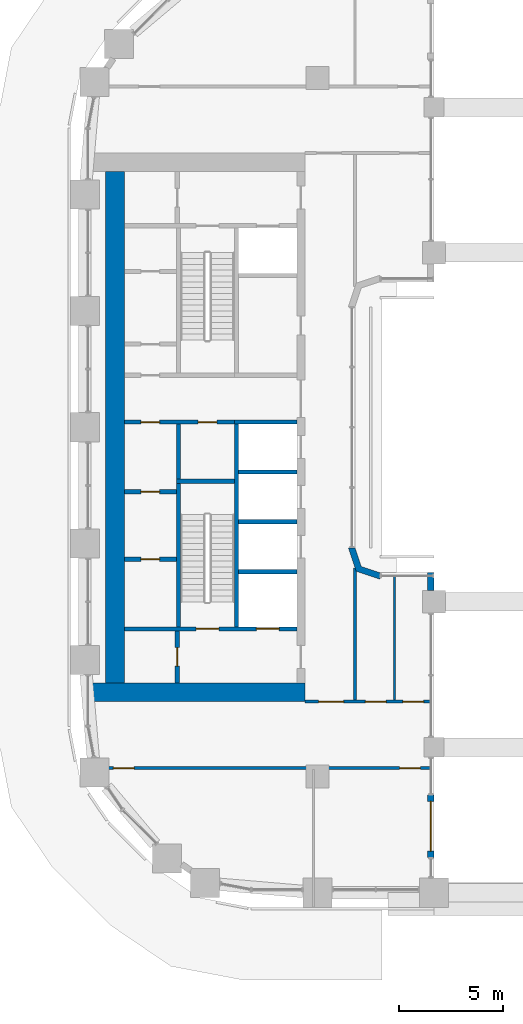
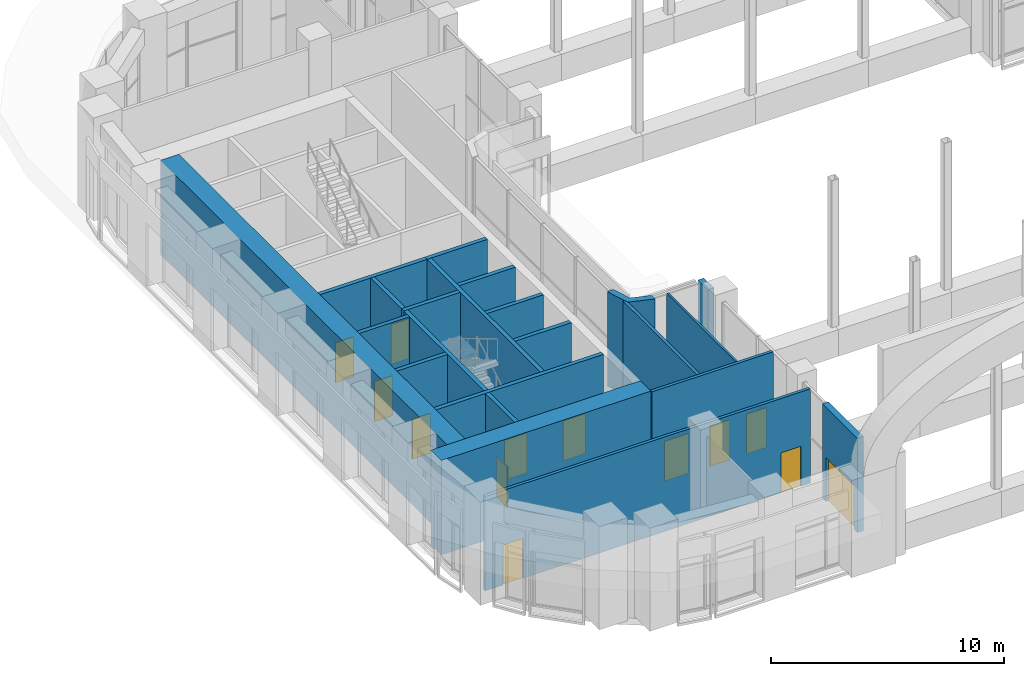
# One storey, part 14 of 27: 22 walls, 13 doors, 13 openings.
"""IFC4 building model written with IfcOpenShell, lengths in metres."""

from ifc_helpers import new_model, si_unit, direction, frame, frame_2d, origin, place, context, subcontext, project, spatial, polyline, rectangle, outline, extrude, material, layer, layer_set, type_object, element, fill, save


model = new_model("IFC4")

# Units and contexts
model_context = context("Model", 3, precision=1e-05, world=origin(), true_north=direction((0.0, 1.0)))
body_context = subcontext(model_context, "Body", "Model", "MODEL_VIEW")
ifc_project = project(units=[si_unit("LENGTHUNIT", "METRE"), si_unit("AREAUNIT", "SQUARE_METRE"), si_unit("VOLUMEUNIT", "CUBIC_METRE"), si_unit("PLANEANGLEUNIT", "RADIAN"), si_unit("MASSUNIT", "GRAM", prefix="KILO")], contexts=[model_context])

# Site, building, storey
site_placement = place(None, origin())
site = spatial("IfcSite", under=ifc_project, at=site_placement, CompositionType="ELEMENT")
building_placement = place(site_placement, origin())
building = spatial("IfcBuilding", under=site, at=building_placement, Name="Kiln Ring Residences", CompositionType="ELEMENT")
storey_placement = place(building_placement, frame((0.0, 0.0, 72.5)))
storey = spatial("IfcBuildingStorey", under=building, at=storey_placement, Name="L18", CompositionType="ELEMENT", Elevation=72.5)

# Wall
ifc_material_1 = material(Name="Gypsum board on steel studs", Category="steel")
ifc_layer_1 = layer(ifc_material_1, 0.199951171875)
ifc_layer_set_1 = layer_set([ifc_layer_1], Name="CORE-PARTITION-200")
wall_type_1 = type_object("IfcWallType", Name="CORE-PARTITION-200", PredefinedType="PARTITIONING", material=ifc_layer_set_1)
wall_1_placement = place(storey_placement, frame((-23.5, -2.5, 0.0), z_axis=(0.0, 0.0, 1.0), x_axis=(0.0, 1.0, 0.0)))
element("IfcWall", 1, at=wall_1_placement, inside=storey, type_object=wall_type_1, Name="Core partition west L18 1", PredefinedType="PARTITIONING", context=body_context, shape_type="SweptSolid", body=[
    extrude(rectangle(XDim=2.64990234375, YDim=0.199951171875, at=frame_2d((1.324951171875, 0.0))), origin(), (0.0, 0.0, 1.0), 4.949951171875),
])

# Wall, openings, doors
wall_2_placement = place(storey_placement, frame((-20.800048828125, 0.25, 0.0), z_axis=(0.0, 0.0, 1.0), x_axis=(-1.0, 0.0, 0.0)))
wall_2 = element("IfcWall", 2, at=wall_2_placement, inside=storey, type_object=wall_type_1, Name="Core partition west L18 2", PredefinedType="PARTITIONING", context=body_context, shape_type="SweptSolid", body=[
    extrude(rectangle(XDim=5.300048828125, YDim=0.199951171875, at=frame_2d((2.64990234375, 0.0))), origin(), (0.0, 0.0, 1.0), 4.949951171875),
])
opening_1_placement = place(wall_2_placement, frame((0.85009765625, 0.0, 0.0)))
opening_1 = element("IfcOpeningElement", 3, at=opening_1_placement, cuts=wall_2, Name="Opening L18-CW14", PredefinedType="OPENING", context=body_context, shape_type="SweptSolid", body=[
    extrude(rectangle(XDim=0.89990234375, YDim=2.10009765625, at=frame_2d((0.449951171875, 1.050048828125))), frame((0.0, 0.10986328125, 0.0), z_axis=(0.0, -1.0, 0.0), x_axis=(1.0, 0.0, 0.0)), (0.0, 0.0, 1.0), 0.219970703125),
])
opening_2_placement = place(wall_2_placement, frame((3.60009765625, 0.0, 0.0)))
opening_2 = element("IfcOpeningElement", 4, at=opening_2_placement, cuts=wall_2, Name="Opening L18-CW17", PredefinedType="OPENING", context=body_context, shape_type="SweptSolid", body=[
    extrude(rectangle(XDim=0.89990234375, YDim=2.10009765625, at=frame_2d((0.449951171875, 1.050048828125))), frame((0.0, 0.10986328125, 0.0), z_axis=(0.0, -1.0, 0.0), x_axis=(1.0, 0.0, 0.0)), (0.0, 0.0, 1.0), 0.219970703125),
])
ifc_material_2 = material(Name="Steel door leaf", Category="steel")
door_type_1 = type_object("IfcDoorType", Name="CORE-DOOR-ROOM", OperationType="SINGLE_SWING_LEFT", PredefinedType="DOOR", material=ifc_material_2)
door_1_placement = place(opening_1_placement, origin())
door_1 = element("IfcDoor", 5, at=door_1_placement, inside=storey, type_object=door_type_1, Name="Electrical riser room L18-CW14", OperationType="SINGLE_SWING_RIGHT", OverallHeight=2.10009765625, OverallWidth=0.89990234375, PredefinedType="DOOR", context=body_context, shape_type="SweptSolid", body=[
    extrude(rectangle(XDim=0.89990234375, YDim=2.10009765625, at=frame_2d((0.449951171875, 1.050048828125))), frame((0.0, 0.02490234375, 0.0), z_axis=(0.0, -1.0, 0.0), x_axis=(1.0, 0.0, 0.0)), (0.0, 0.0, 1.0), 0.050048828125),
])
fill(opening_1, door_1)
door_2_placement = place(opening_2_placement, origin())
door_2 = element("IfcDoor", 6, at=door_2_placement, inside=storey, type_object=door_type_1, Name="Plant room L18-CW17", OperationType="SINGLE_SWING_LEFT", OverallHeight=2.10009765625, OverallWidth=0.89990234375, PredefinedType="DOOR", context=body_context, shape_type="SweptSolid", body=[
    extrude(rectangle(XDim=0.89990234375, YDim=2.10009765625, at=frame_2d((0.449951171875, 1.050048828125))), frame((0.0, 0.02490234375, 0.0), z_axis=(0.0, -1.0, 0.0), x_axis=(1.0, 0.0, 0.0)), (0.0, 0.0, 1.0), 0.050048828125),
])
fill(opening_2, door_2)

# Wall, opening, door
wall_3_placement = place(storey_placement, frame((-23.550048828125, -12.300048828125, 0.0), z_axis=(0.0, 0.0, 1.0), x_axis=(0.0, 1.0, 0.0)))
wall_3 = element("IfcWall", 7, at=wall_3_placement, inside=storey, type_object=wall_type_1, Name="Core partition west L18 4", PredefinedType="PARTITIONING", context=body_context, shape_type="SweptSolid", body=[
    extrude(rectangle(XDim=2.5, YDim=0.199951171875, at=frame_2d((1.25, 0.0))), origin(), (0.0, 0.0, 1.0), 4.949951171875),
])
opening_3_placement = place(wall_3_placement, frame((0.800048828125, 0.0, 0.0)))
opening_3 = element("IfcOpeningElement", 8, at=opening_3_placement, cuts=wall_3, Name="Opening L18-CW10", PredefinedType="OPENING", context=body_context, shape_type="SweptSolid", body=[
    extrude(rectangle(XDim=0.89990234375, YDim=2.10009765625, at=frame_2d((0.449951171875, 1.050048828125))), frame((0.0, 0.10986328125, 0.0), z_axis=(0.0, -1.0, 0.0), x_axis=(1.0, 0.0, 0.0)), (0.0, 0.0, 1.0), 0.219970703125),
])
door_3_placement = place(opening_3_placement, origin())
door_3 = element("IfcDoor", 9, at=door_3_placement, inside=storey, type_object=door_type_1, Name="Store L18-CW10", OperationType="SINGLE_SWING_RIGHT", OverallHeight=2.10009765625, OverallWidth=0.89990234375, PredefinedType="DOOR", context=body_context, shape_type="SweptSolid", body=[
    extrude(rectangle(XDim=0.89990234375, YDim=2.10009765625, at=frame_2d((0.449951171875, 1.050048828125))), frame((0.0, 0.02490234375, 0.0), z_axis=(0.0, -1.0, 0.0), x_axis=(1.0, 0.0, 0.0)), (0.0, 0.0, 1.0), 0.050048828125),
])
fill(opening_3, door_3)

wall_4_placement = place(storey_placement, frame((-23.60009765625, -6.35009765625, 0.0), z_axis=(0.0, 0.0, 1.0), x_axis=(-1.0, 0.0, 0.0)))
wall_4 = element("IfcWall", 10, at=wall_4_placement, inside=storey, type_object=wall_type_1, Name="Core partition west L18 5", PredefinedType="PARTITIONING", context=body_context, shape_type="SweptSolid", body=[
    extrude(rectangle(XDim=2.5, YDim=0.199951171875, at=frame_2d((1.25, 0.0))), origin(), (0.0, 0.0, 1.0), 4.949951171875),
])
opening_4_placement = place(wall_4_placement, frame((0.800048828125, 0.0, 0.0)))
opening_4 = element("IfcOpeningElement", 11, at=opening_4_placement, cuts=wall_4, Name="Opening L18-CW15", PredefinedType="OPENING", context=body_context, shape_type="SweptSolid", body=[
    extrude(rectangle(XDim=0.89990234375, YDim=2.10009765625, at=frame_2d((0.449951171875, 1.050048828125))), frame((0.0, 0.10986328125, 0.0), z_axis=(0.0, -1.0, 0.0), x_axis=(1.0, 0.0, 0.0)), (0.0, 0.0, 1.0), 0.219970703125),
])
door_4_placement = place(opening_4_placement, origin())
door_4 = element("IfcDoor", 12, at=door_4_placement, inside=storey, type_object=door_type_1, Name="Meter room L18-CW15", OperationType="SINGLE_SWING_RIGHT", OverallHeight=2.10009765625, OverallWidth=0.89990234375, PredefinedType="DOOR", context=body_context, shape_type="SweptSolid", body=[
    extrude(rectangle(XDim=0.89990234375, YDim=2.10009765625, at=frame_2d((0.449951171875, 1.050048828125))), frame((0.0, 0.02490234375, 0.0), z_axis=(0.0, -1.0, 0.0), x_axis=(1.0, 0.0, 0.0)), (0.0, 0.0, 1.0), 0.050048828125),
])
fill(opening_4, door_4)

wall_5_placement = place(storey_placement, frame((-23.60009765625, -3.10009765625, 0.0), z_axis=(0.0, 0.0, 1.0), x_axis=(-1.0, 0.0, 0.0)))
wall_5 = element("IfcWall", 13, at=wall_5_placement, inside=storey, type_object=wall_type_1, Name="Core partition west L18 6", PredefinedType="PARTITIONING", context=body_context, shape_type="SweptSolid", body=[
    extrude(rectangle(XDim=2.5, YDim=0.199951171875, at=frame_2d((1.25, 0.0))), origin(), (0.0, 0.0, 1.0), 4.949951171875),
])
opening_5_placement = place(wall_5_placement, frame((0.800048828125, 0.0, 0.0)))
opening_5 = element("IfcOpeningElement", 14, at=opening_5_placement, cuts=wall_5, Name="Opening L18-CW16", PredefinedType="OPENING", context=body_context, shape_type="SweptSolid", body=[
    extrude(rectangle(XDim=0.89990234375, YDim=2.10009765625, at=frame_2d((0.449951171875, 1.050048828125))), frame((0.0, 0.10986328125, 0.0), z_axis=(0.0, -1.0, 0.0), x_axis=(1.0, 0.0, 0.0)), (0.0, 0.0, 1.0), 0.219970703125),
])
door_5_placement = place(opening_5_placement, origin())
door_5 = element("IfcDoor", 15, at=door_5_placement, inside=storey, type_object=door_type_1, Name="Plant room L18-CW16", OperationType="SINGLE_SWING_LEFT", OverallHeight=2.10009765625, OverallWidth=0.89990234375, PredefinedType="DOOR", context=body_context, shape_type="SweptSolid", body=[
    extrude(rectangle(XDim=0.89990234375, YDim=2.10009765625, at=frame_2d((0.449951171875, 1.050048828125))), frame((0.0, 0.02490234375, 0.0), z_axis=(0.0, -1.0, 0.0), x_axis=(1.0, 0.0, 0.0)), (0.0, 0.0, 1.0), 0.050048828125),
])
fill(opening_5, door_5)

# Walls
ifc_material_3 = material(Name="Gypsum shaft wall system")
ifc_layer_2 = layer(ifc_material_3, 0.199951171875)
ifc_layer_set_2 = layer_set([ifc_layer_2], Name="CORE-SHAFT-WALL-200")
wall_type_2 = type_object("IfcWallType", Name="CORE-SHAFT-WALL-200", PredefinedType="PARTITIONING", material=ifc_layer_set_2)
for number, where, z_axis, x_axis, name in (
    (16, (-17.800048828125, -6.949951171875, 0.0), (0.0, 0.0, 1.0), (-1.0, 0.0, 0.0), "Core partition west L18 9"),
    (17, (-17.800048828125, -4.550048828125, 0.0), (0.0, 0.0, 1.0), (-1.0, 0.0, 0.0), "Core partition west L18 10"),
    (18, (-17.800048828125, -2.14990234375, 0.0), (0.0, 0.0, 1.0), (-1.0, 0.0, 0.0), "Core partition west L18 11"),
):
    element("IfcWall", number, at=place(storey_placement, frame(where, z_axis=z_axis, x_axis=x_axis)), inside=storey, type_object=wall_type_2, Name=name, PredefinedType="PARTITIONING", context=body_context, shape_type="SweptSolid", body=[
        extrude(rectangle(XDim=2.800048828125, YDim=0.199951171875, at=frame_2d((1.39990234375, 0.0))), origin(), (0.0, 0.0, 1.0), 4.949951171875),
    ])
wall_6_placement = place(storey_placement, frame((-17.800048828125, 0.25, 0.0), z_axis=(0.0, 0.0, 1.0), x_axis=(-1.0, 0.0, 0.0)))
element("IfcWall", 19, at=wall_6_placement, inside=storey, type_object=wall_type_2, Name="Core partition west L18 12", PredefinedType="PARTITIONING", context=body_context, shape_type="SweptSolid", body=[
    extrude(rectangle(XDim=3.0, YDim=0.199951171875, at=frame_2d((1.5, 0.0))), origin(), (0.0, 0.0, 1.0), 4.949951171875),
])
ifc_material_4 = material(Name="Concrete C40/50", Category="concrete")
ifc_layer_3 = layer(ifc_material_4, 0.199951171875)
ifc_layer_set_3 = layer_set([ifc_layer_3], Name="CORE-WALL-RC200")
wall_type_3 = type_object("IfcWallType", Name="CORE-WALL-RC200", PredefinedType="SHEAR", material=ifc_layer_set_3)
wall_7_placement = place(storey_placement, frame((-20.699951171875, -9.60009765625, 0.0), z_axis=(0.0, 0.0, 1.0), x_axis=(0.0, 1.0, 0.0)))
element("IfcWall", 20, at=wall_7_placement, inside=storey, type_object=wall_type_3, Name="Core wall west L18 2", PredefinedType="SHEAR", context=body_context, shape_type="SweptSolid", body=[
    extrude(rectangle(XDim=9.75, YDim=0.199951171875, at=frame_2d((4.875, 0.0))), origin(), (0.0, 0.0, 1.0), 4.949951171875),
])

# Wall, openings, doors
wall_8_placement = place(storey_placement, frame((-17.800048828125, -9.699951171875, 0.0), z_axis=(0.0, 0.0, 1.0), x_axis=(-1.0, 0.0, 0.0)))
wall_8 = element("IfcWall", 21, at=wall_8_placement, inside=storey, type_object=wall_type_3, Name="Core wall west L18 8", PredefinedType="SHEAR", context=body_context, shape_type="SweptSolid", body=[
    extrude(rectangle(XDim=8.300048828125, YDim=0.199951171875, at=frame_2d((4.14990234375, 0.0))), origin(), (0.0, 0.0, 1.0), 4.949951171875),
])
opening_6_placement = place(wall_8_placement, frame((0.85009765625, 0.0, 0.0)))
opening_6 = element("IfcOpeningElement", 22, at=opening_6_placement, cuts=wall_8, Name="Opening L18-CW01", PredefinedType="OPENING", context=body_context, shape_type="SweptSolid", body=[
    extrude(rectangle(XDim=1.10009765625, YDim=2.10009765625, at=frame_2d((0.550048828125, 1.050048828125))), frame((0.0, 0.10986328125, 0.0), z_axis=(0.0, -1.0, 0.0), x_axis=(1.0, 0.0, 0.0)), (0.0, 0.0, 1.0), 0.219970703125),
])
opening_7_placement = place(wall_8_placement, frame((3.75, 0.0, 0.0)))
opening_7 = element("IfcOpeningElement", 23, at=opening_7_placement, cuts=wall_8, Name="Opening L18-CW12", PredefinedType="OPENING", context=body_context, shape_type="SweptSolid", body=[
    extrude(rectangle(XDim=1.10009765625, YDim=2.10009765625, at=frame_2d((0.550048828125, 1.050048828125))), frame((0.0, 0.10986328125, 0.0), z_axis=(0.0, -1.0, 0.0), x_axis=(1.0, 0.0, 0.0)), (0.0, 0.0, 1.0), 0.219970703125),
])
ifc_material_5 = material(Name="Steel door leaf", Category="steel")
door_type_2 = type_object("IfcDoorType", Name="CORE-DOOR-LD", OperationType="DOUBLE_DOOR_SLIDING", PredefinedType="DOOR", material=ifc_material_5)
door_6_placement = place(opening_6_placement, origin())
door_6 = element("IfcDoor", 24, at=door_6_placement, inside=storey, type_object=door_type_2, Name="LD W-SV L18-CW01", OperationType="DOUBLE_DOOR_SLIDING", OverallHeight=2.10009765625, OverallWidth=1.10009765625, PredefinedType="DOOR", context=body_context, shape_type="SweptSolid", body=[
    extrude(rectangle(XDim=1.10009765625, YDim=2.10009765625, at=frame_2d((0.550048828125, 1.050048828125))), frame((0.0, 0.02490234375, 0.0), z_axis=(0.0, -1.0, 0.0), x_axis=(1.0, 0.0, 0.0)), (0.0, 0.0, 1.0), 0.050048828125),
])
fill(opening_6, door_6)
ifc_material_6 = material(Name="Steel door leaf", Category="steel")
door_type_3 = type_object("IfcDoorType", Name="CORE-DOOR-STAIR", OperationType="SINGLE_SWING_LEFT", PredefinedType="DOOR", material=ifc_material_6)
door_7_placement = place(opening_7_placement, origin())
door_7 = element("IfcDoor", 25, at=door_7_placement, inside=storey, type_object=door_type_3, Name="Stair W-STS L18-CW12", OperationType="SINGLE_SWING_LEFT", OverallHeight=2.10009765625, OverallWidth=1.10009765625, PredefinedType="DOOR", context=body_context, shape_type="SweptSolid", body=[
    extrude(rectangle(XDim=1.10009765625, YDim=2.10009765625, at=frame_2d((0.550048828125, 1.050048828125))), frame((0.0, 0.02490234375, 0.0), z_axis=(0.0, -1.0, 0.0), x_axis=(1.0, 0.0, 0.0)), (0.0, 0.0, 1.0), 0.050048828125),
])
fill(opening_7, door_7)

# Walls
wall_9_placement = place(storey_placement, frame((-23.5, -9.60009765625, 0.0), z_axis=(0.0, 0.0, 1.0), x_axis=(0.0, 1.0, 0.0)))
element("IfcWall", 26, at=wall_9_placement, inside=storey, type_object=wall_type_3, Name="Core wall west L18 11", PredefinedType="SHEAR", context=body_context, shape_type="SweptSolid", body=[
    extrude(rectangle(XDim=6.900146484375, YDim=0.199951171875, at=frame_2d((3.4501953125, 0.0))), origin(), (0.0, 0.0, 1.0), 4.949951171875),
])
wall_10_placement = place(storey_placement, frame((-20.800048828125, -2.60009765625, 0.0), z_axis=(0.0, 0.0, 1.0), x_axis=(-1.0, 0.0, 0.0)))
element("IfcWall", 27, at=wall_10_placement, inside=storey, type_object=wall_type_3, Name="Core wall west L18 12", PredefinedType="SHEAR", context=body_context, shape_type="SweptSolid", body=[
    extrude(rectangle(XDim=2.800048828125, YDim=0.199951171875, at=frame_2d((1.39990234375, 0.0))), origin(), (0.0, 0.0, 1.0), 4.949951171875),
])
ifc_material_7 = material(Name="Concrete C60/75", Category="concrete")
ifc_layer_4 = layer(ifc_material_7, 0.89990234375)
ifc_layer_set_4 = layer_set([ifc_layer_4], Name="CORE-WALL-RC900")
wall_type_4 = type_object("IfcWallType", Name="CORE-WALL-RC900", PredefinedType="SHEAR", material=ifc_layer_set_4)
wall_11_placement = place(storey_placement, frame((-17.39990234375, -12.75, 0.0), z_axis=(0.0, 0.0, 1.0), x_axis=(-1.0, 0.0, 0.0)))
element("IfcWall", 28, at=wall_11_placement, inside=storey, type_object=wall_type_4, Name="Core wall west L18 5", PredefinedType="SHEAR", context=body_context, shape_type="SweptSolid", body=[
    extrude(rectangle(XDim=10.400146484375, YDim=0.89990234375, at=frame_2d((5.2001953125, 0.0))), origin(), (0.0, 0.0, 1.0), 4.949951171875),
])
wall_12_placement = place(storey_placement, frame((-26.550048828125, -12.300048828125, 0.0), z_axis=(0.0, 0.0, 1.0), x_axis=(0.0, 1.0, 0.0)))
element("IfcWall", 29, at=wall_12_placement, inside=storey, type_object=wall_type_4, Name="Core wall west L18 7", PredefinedType="SHEAR", context=body_context, shape_type="SweptSolid", body=[
    extrude(rectangle(XDim=24.60009765625, YDim=0.89990234375, at=frame_2d((12.300048828125, 0.0))), origin(), (0.0, 0.0, 1.0), 4.949951171875),
])

# Wall, opening, door
ifc_material_8 = material(Name="Brick masonry, dark clay brick", Category="masonry")
ifc_layer_5 = layer(ifc_material_8, 0.300048828125)
ifc_layer_set_5 = layer_set([ifc_layer_5], Name="EW-300 BRICK WALL")
wall_type_5 = type_object("IfcWallType", Name="EW-300 BRICK WALL", PredefinedType="SOLIDWALL", material=ifc_layer_set_5)
wall_13_placement = place(storey_placement, frame((-11.35009765625, -20.699951171875, 0.0), z_axis=(0.0, 0.0, 1.0), x_axis=(0.0, 1.0, 0.0)))
wall_13 = element("IfcWall", 30, at=wall_13_placement, inside=storey, type_object=wall_type_5, Name="Facade wall L18 1", PredefinedType="SOLIDWALL", context=body_context, shape_type="SweptSolid", body=[
    extrude(rectangle(XDim=3.0, YDim=0.300048828125, at=frame_2d((1.5, 0.0))), origin(), (0.0, 0.0, 1.0), 4.949951171875),
])
opening_8_placement = place(wall_13_placement, frame((0.300048828125, 0.0, 0.0)))
opening_8 = element("IfcOpeningElement", 31, at=opening_8_placement, cuts=wall_13, Name="Opening EL18-1", PredefinedType="OPENING", context=body_context, shape_type="SweptSolid", body=[
    extrude(rectangle(XDim=2.39990234375, YDim=2.300048828125, at=frame_2d((1.199951171875, 1.14990234375))), frame((0.0, 0.159912109375, 0.0), z_axis=(0.0, -1.0, 0.0), x_axis=(1.0, 0.0, 0.0)), (0.0, 0.0, 1.0), 0.320068359375),
])
ifc_material_9 = material(Name="Aluminium and glass", Category="aluminium")
door_type_4 = type_object("IfcDoorType", Name="TERRACE DOOR 2400 x 2300", OperationType="DOUBLE_DOOR_SINGLE_SWING", PredefinedType="DOOR", material=ifc_material_9)
door_8_placement = place(opening_8_placement, origin())
door_8 = element("IfcDoor", 32, at=door_8_placement, inside=storey, type_object=door_type_4, Name="Terrace door EL18-1", OperationType="SINGLE_SWING_LEFT", OverallHeight=2.300048828125, OverallWidth=2.39990234375, PredefinedType="DOOR", context=body_context, shape_type="SweptSolid", body=[
    extrude(rectangle(XDim=2.39990234375, YDim=2.300048828125, at=frame_2d((1.199951171875, 1.14990234375))), frame((0.0, 0.02490234375, 0.0), z_axis=(0.0, -1.0, 0.0), x_axis=(1.0, 0.0, 0.0)), (0.0, 0.0, 1.0), 0.050048828125),
])
fill(opening_8, door_8)

# Walls
wall_14_placement = place(storey_placement, frame((-11.35009765625, -7.85009765625, 0.0), z_axis=(0.0, 0.0, 1.0), x_axis=(0.0, 1.0, 0.0)))
element("IfcWall", 33, at=wall_14_placement, inside=storey, type_object=wall_type_5, Name="Facade wall L18 6", PredefinedType="SOLIDWALL", context=body_context, shape_type="SweptSolid", body=[
    extrude(rectangle(XDim=0.85009765625, YDim=0.300048828125, at=frame_2d((0.425048828125, 0.0))), origin(), (0.0, 0.0, 1.0), 4.949951171875),
])
wall_15_placement = place(storey_placement, origin())
element("IfcWall", 34, at=wall_15_placement, inside=storey, type_object=wall_type_5, Name="Corner wall L18 2", PredefinedType="SOLIDWALL", context=body_context, shape_type="SweptSolid", body=[
    extrude(outline(polyline([(-13.800048828125, -7.0), (-14.699951171875, -6.699951171875), (-15.0, -5.800048828125), (-15.300048828125, -5.800048828125), (-15.300048828125, -5.8486328125), (-14.937255859375, -6.937255859375), (-13.8486328125, -7.300048828125), (-13.800048828125, -7.300048828125), (-13.800048828125, -7.0)])), origin(), (0.0, 0.0, 1.0), 4.949951171875),
])
ifc_material_10 = material(Name="Gypsum board on steel studs", Category="steel")
ifc_layer_6 = layer(ifc_material_10, 0.10009765625)
ifc_layer_set_6 = layer_set([ifc_layer_6], Name="PARTITION-100")
wall_type_6 = type_object("IfcWallType", Name="PARTITION-100", PredefinedType="PARTITIONING", material=ifc_layer_set_6)
wall_16_placement = place(storey_placement, frame((-13.10009765625, -13.125, 0.0), z_axis=(0.0, 0.0, 1.0), x_axis=(0.0, 1.0, 0.0)))
element("IfcWall", 35, at=wall_16_placement, inside=storey, type_object=wall_type_6, Name="Partition 012", PredefinedType="PARTITIONING", context=body_context, shape_type="SweptSolid", body=[
    extrude(rectangle(XDim=5.94091796875, YDim=0.10009765625, at=frame_2d((2.970458984375, 0.0))), origin(), (0.0, 0.0, 1.0), 4.949951171875),
])

# Wall, openings, doors
ifc_material_11 = material(Name="Brick masonry partition", Category="masonry")
ifc_layer_7 = layer(ifc_material_11, 0.14990234375)
ifc_layer_set_7 = layer_set([ifc_layer_7], Name="PARTITION-150-ei60")
wall_type_7 = type_object("IfcWallType", Name="PARTITION-150-ei60", PredefinedType="PARTITIONING", material=ifc_layer_set_7)
wall_17_placement = place(storey_placement, frame((-27.52001953125, -16.39990234375, 0.0), z_axis=(0.0, 0.0, 1.0), x_axis=(1.0, 0.0, 0.0)))
wall_17 = element("IfcWall", 36, at=wall_17_placement, inside=storey, type_object=wall_type_7, Name="Partition 000", PredefinedType="PARTITIONING", context=body_context, shape_type="SweptSolid", body=[
    extrude(rectangle(XDim=16.135986328125, YDim=0.14990234375, at=frame_2d((8.06787109375, 0.0))), origin(), (0.0, 0.0, 1.0), 4.949951171875),
])
opening_9_placement = place(wall_17_placement, frame((14.669921875, 0.0, 0.0)))
opening_9 = element("IfcOpeningElement", 37, at=opening_9_placement, cuts=wall_17, Name="Opening L18-D012", PredefinedType="OPENING", context=body_context, shape_type="SweptSolid", body=[
    extrude(rectangle(XDim=1.0, YDim=2.10009765625, at=frame_2d((0.5, 1.050048828125))), frame((0.0, 0.0849609375, 0.0), z_axis=(0.0, -1.0, 0.0), x_axis=(1.0, 0.0, 0.0)), (0.0, 0.0, 1.0), 0.169921875),
])
opening_10_placement = place(wall_17_placement, frame((0.89306640625, 0.0, 0.0)))
opening_10 = element("IfcOpeningElement", 38, at=opening_10_placement, cuts=wall_17, Name="Opening L18-D013", PredefinedType="OPENING", context=body_context, shape_type="SweptSolid", body=[
    extrude(rectangle(XDim=1.0, YDim=2.10009765625, at=frame_2d((0.5, 1.050048828125))), frame((0.0, 0.0849609375, 0.0), z_axis=(0.0, -1.0, 0.0), x_axis=(1.0, 0.0, 0.0)), (0.0, 0.0, 1.0), 0.169921875),
])
ifc_material_12 = material(Name="Steel faced fire door leaf", Category="steel")
door_type_5 = type_object("IfcDoorType", Name="FLAT-DOOR-1000-FR", OperationType="SINGLE_SWING_LEFT", PredefinedType="DOOR", material=ifc_material_12)
door_9_placement = place(opening_9_placement, origin())
door_9 = element("IfcDoor", 39, at=door_9_placement, inside=storey, type_object=door_type_5, Name="Door L18-D012", OperationType="SINGLE_SWING_RIGHT", OverallHeight=2.10009765625, OverallWidth=1.0, PredefinedType="DOOR", context=body_context, shape_type="SweptSolid", body=[
    extrude(rectangle(XDim=1.0, YDim=2.10009765625, at=frame_2d((0.5, 1.050048828125))), frame((0.0, 0.02490234375, 0.0), z_axis=(0.0, -1.0, 0.0), x_axis=(1.0, 0.0, 0.0)), (0.0, 0.0, 1.0), 0.050048828125),
])
fill(opening_9, door_9)
door_10_placement = place(opening_10_placement, origin())
door_10 = element("IfcDoor", 40, at=door_10_placement, inside=storey, type_object=door_type_5, Name="Door L18-D013", OperationType="SINGLE_SWING_LEFT", OverallHeight=2.10009765625, OverallWidth=1.0, PredefinedType="DOOR", context=body_context, shape_type="SweptSolid", body=[
    extrude(rectangle(XDim=1.0, YDim=2.10009765625, at=frame_2d((0.5, 1.050048828125))), frame((0.0, 0.02490234375, 0.0), z_axis=(0.0, -1.0, 0.0), x_axis=(1.0, 0.0, 0.0)), (0.0, 0.0, 1.0), 0.050048828125),
])
fill(opening_10, door_10)

wall_18_placement = place(storey_placement, frame((-17.39990234375, -13.199951171875, 0.0), z_axis=(0.0, 0.0, 1.0), x_axis=(1.0, 0.0, 0.0)))
wall_18 = element("IfcWall", 41, at=wall_18_placement, inside=storey, type_object=wall_type_7, Name="Partition 002", PredefinedType="PARTITIONING", context=body_context, shape_type="SweptSolid", body=[
    extrude(rectangle(XDim=6.015869140625, YDim=0.14990234375, at=frame_2d((3.0078125, 0.0))), origin(), (0.0, 0.0, 1.0), 4.949951171875),
])
opening_11_placement = place(wall_18_placement, frame((0.64990234375, 0.0, 0.0)))
opening_11 = element("IfcOpeningElement", 42, at=opening_11_placement, cuts=wall_18, Name="Opening L18-D009", PredefinedType="OPENING", context=body_context, shape_type="SweptSolid", body=[
    extrude(rectangle(XDim=1.199951171875, YDim=2.10009765625, at=frame_2d((0.60009765625, 1.050048828125))), frame((0.0, 0.0849609375, 0.0), z_axis=(0.0, -1.0, 0.0), x_axis=(1.0, 0.0, 0.0)), (0.0, 0.0, 1.0), 0.169921875),
])
opening_12_placement = place(wall_18_placement, frame((4.7099609375, 0.0, 0.0)))
opening_12 = element("IfcOpeningElement", 43, at=opening_12_placement, cuts=wall_18, Name="Opening L18-D010", PredefinedType="OPENING", context=body_context, shape_type="SweptSolid", body=[
    extrude(rectangle(XDim=1.0, YDim=2.10009765625, at=frame_2d((0.5, 1.050048828125))), frame((0.0, 0.0849609375, 0.0), z_axis=(0.0, -1.0, 0.0), x_axis=(1.0, 0.0, 0.0)), (0.0, 0.0, 1.0), 0.169921875),
])
opening_13_placement = place(wall_18_placement, frame((2.89990234375, 0.0, 0.0)))
opening_13 = element("IfcOpeningElement", 44, at=opening_13_placement, cuts=wall_18, Name="Opening L18-D011", PredefinedType="OPENING", context=body_context, shape_type="SweptSolid", body=[
    extrude(rectangle(XDim=1.0, YDim=2.10009765625, at=frame_2d((0.5, 1.050048828125))), frame((0.0, 0.0849609375, 0.0), z_axis=(0.0, -1.0, 0.0), x_axis=(1.0, 0.0, 0.0)), (0.0, 0.0, 1.0), 0.169921875),
])
door_11_placement = place(opening_12_placement, origin())
door_11 = element("IfcDoor", 45, at=door_11_placement, inside=storey, type_object=door_type_5, Name="Door L18-D010", OperationType="SINGLE_SWING_RIGHT", OverallHeight=2.10009765625, OverallWidth=1.0, PredefinedType="DOOR", context=body_context, shape_type="SweptSolid", body=[
    extrude(rectangle(XDim=1.0, YDim=2.10009765625, at=frame_2d((0.5, 1.050048828125))), frame((0.0, 0.02490234375, 0.0), z_axis=(0.0, -1.0, 0.0), x_axis=(1.0, 0.0, 0.0)), (0.0, 0.0, 1.0), 0.050048828125),
])
fill(opening_12, door_11)
door_12_placement = place(opening_13_placement, origin())
door_12 = element("IfcDoor", 46, at=door_12_placement, inside=storey, type_object=door_type_5, Name="Door L18-D011", OperationType="SINGLE_SWING_LEFT", OverallHeight=2.10009765625, OverallWidth=1.0, PredefinedType="DOOR", context=body_context, shape_type="SweptSolid", body=[
    extrude(rectangle(XDim=1.0, YDim=2.10009765625, at=frame_2d((0.5, 1.050048828125))), frame((0.0, 0.02490234375, 0.0), z_axis=(0.0, -1.0, 0.0), x_axis=(1.0, 0.0, 0.0)), (0.0, 0.0, 1.0), 0.050048828125),
])
fill(opening_13, door_12)
ifc_material_13 = material(Name="Steel faced fire door leaf", Category="steel")
door_type_6 = type_object("IfcDoorType", Name="FLAT-DOOR-1200-FR", OperationType="SINGLE_SWING_LEFT", PredefinedType="DOOR", material=ifc_material_13)
door_13_placement = place(opening_11_placement, origin())
door_13 = element("IfcDoor", 47, at=door_13_placement, inside=storey, type_object=door_type_6, Name="Door L18-D009", OperationType="SINGLE_SWING_RIGHT", OverallHeight=2.10009765625, OverallWidth=1.199951171875, PredefinedType="DOOR", context=body_context, shape_type="SweptSolid", body=[
    extrude(rectangle(XDim=1.199951171875, YDim=2.10009765625, at=frame_2d((0.60009765625, 1.050048828125))), frame((0.0, 0.02490234375, 0.0), z_axis=(0.0, -1.0, 0.0), x_axis=(1.0, 0.0, 0.0)), (0.0, 0.0, 1.0), 0.050048828125),
])
fill(opening_11, door_13)

# Wall
wall_19_placement = place(storey_placement, frame((-15.0, -13.125, 0.0), z_axis=(0.0, 0.0, 1.0), x_axis=(0.0, 1.0, 0.0)))
element("IfcWall", 48, at=wall_19_placement, inside=storey, type_object=wall_type_7, Name="Partition 010", PredefinedType="PARTITIONING", context=body_context, shape_type="SweptSolid", body=[
    extrude(rectangle(XDim=6.356201171875, YDim=0.14990234375, at=frame_2d((3.17822265625, 0.0))), origin(), (0.0, 0.0, 1.0), 4.949951171875),
])

save(model, "model.ifc")
